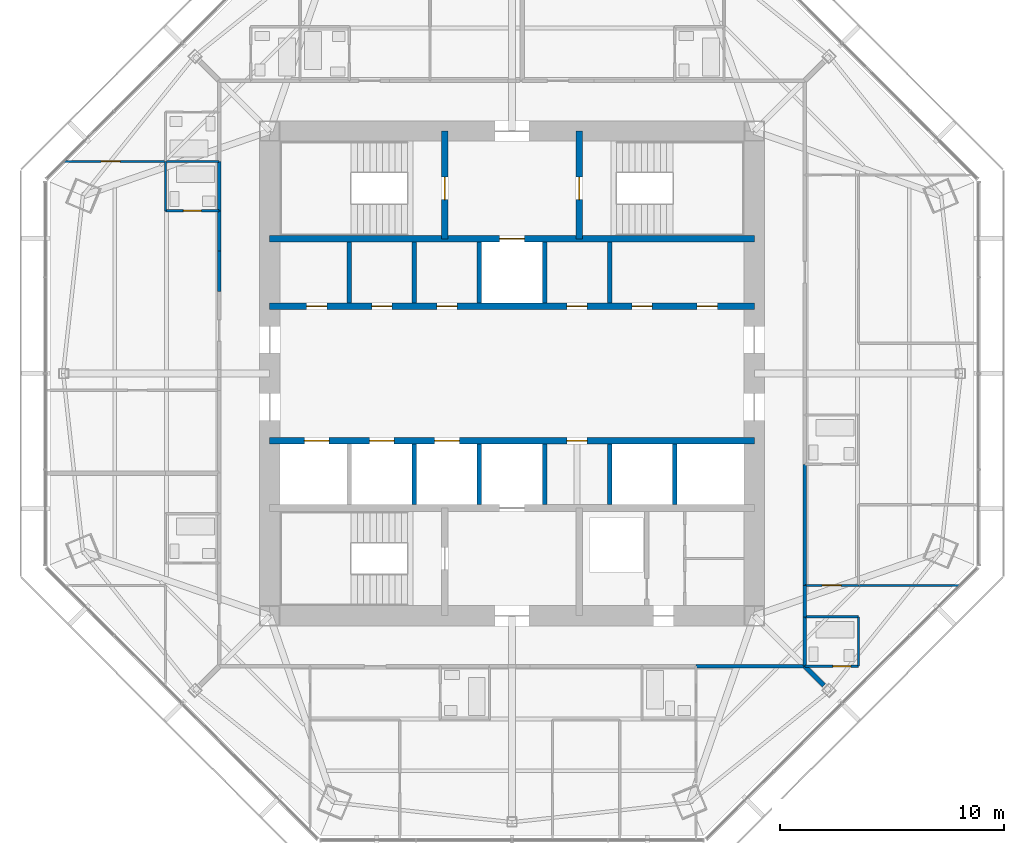
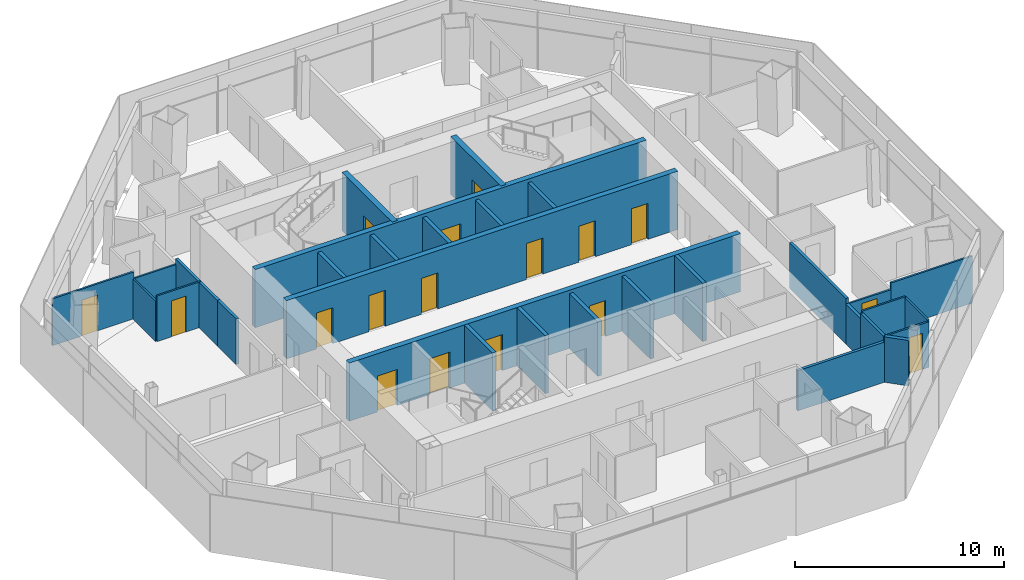
# One storey, part 10 of 14: 32 walls, 17 doors, 17 openings.
"""IFC4 building model written with IfcOpenShell, lengths in metres."""

from ifc_helpers import new_model, si_unit, direction, frame, frame_2d, origin, place, context, subcontext, project, spatial, rectangle, extrude, material, layer, layer_set, type_object, element, fill, save


model = new_model("IFC4")

# Units and contexts
model_context = context("Model", 3, precision=1e-05, world=origin(), true_north=direction((0.0, 1.0)))
body_context = subcontext(model_context, "Body", "Model", "MODEL_VIEW")
ifc_project = project(units=[si_unit("LENGTHUNIT", "METRE"), si_unit("AREAUNIT", "SQUARE_METRE"), si_unit("VOLUMEUNIT", "CUBIC_METRE"), si_unit("PLANEANGLEUNIT", "RADIAN"), si_unit("MASSUNIT", "GRAM", prefix="KILO")], contexts=[model_context])

# Site, building, storey
site_placement = place(None, origin())
site = spatial("IfcSite", under=ifc_project, at=site_placement, CompositionType="ELEMENT")
building_placement = place(site_placement, origin())
building = spatial("IfcBuilding", under=site, at=building_placement, Name="Mashrafa Tower", CompositionType="ELEMENT")
storey_placement = place(building_placement, frame((0.0, 0.0, 255.0)))
storey = spatial("IfcBuildingStorey", under=building, at=storey_placement, Name="L61", CompositionType="ELEMENT", Elevation=255.0)

# Wall
ifc_material_1 = material(Name="Gypsum board on steel studs", Category="steel")
ifc_layer_1 = layer(ifc_material_1, 0.199951171875)
ifc_layer_set_1 = layer_set([ifc_layer_1], Name="Acoustic partition 200 1 hr")
wall_type_1 = type_object("IfcWallType", Name="Acoustic partition 200 1 hr", PredefinedType="PARTITIONING", material=ifc_layer_set_1)
wall_1_placement = place(storey_placement, frame((13.050048828125, -13.050048828125, 0.0), z_axis=(0.0, 0.0, 1.0), x_axis=(0.707106781187, -0.707106781187, 0.0)))
element("IfcWall", 1, at=wall_1_placement, inside=storey, type_object=wall_type_1, Name="Acoustic wall L61-047", PredefinedType="PARTITIONING", context=body_context, shape_type="SweptSolid", body=[
    extrude(rectangle(XDim=1.205322265625, YDim=0.199951171875, at=frame_2d((0.6025390625, 0.0))), origin(), (0.0, 0.0, 1.0), 2.656494140625),
])

# Wall, openings, doors
ifc_material_2 = material(Name="Concrete C50/60", Category="concrete")
ifc_layer_2 = layer(ifc_material_2, 0.300048828125)
ifc_layer_set_2 = layer_set([ifc_layer_2], Name="Core wall 300 C50/60")
wall_type_2 = type_object("IfcWallType", Name="Core wall 300 C50/60", PredefinedType="SOLIDWALL", material=ifc_layer_set_2)
wall_2_placement = place(storey_placement, frame((-10.800048828125, 3.0, 0.0), z_axis=(0.0, 0.0, 1.0), x_axis=(1.0, 0.0, 0.0)))
wall_2 = element("IfcWall", 2, at=wall_2_placement, inside=storey, type_object=wall_type_2, Name="Core wall CH-N L61", PredefinedType="SOLIDWALL", context=body_context, shape_type="SweptSolid", body=[
    extrude(rectangle(XDim=21.60009765625, YDim=0.300048828125, at=frame_2d((10.800048828125, 0.0))), origin(), (0.0, 0.0, 1.0), 3.39990234375),
])
opening_1_placement = place(wall_2_placement, frame((1.64990234375, 0.0, 0.0)))
opening_1 = element("IfcOpeningElement", 3, at=opening_1_placement, cuts=wall_2, Name="Opening 61.044", PredefinedType="OPENING", context=body_context, shape_type="SweptSolid", body=[
    extrude(rectangle(XDim=0.89990234375, YDim=2.10009765625, at=frame_2d((0.449951171875, 1.050048828125))), frame((0.0, 0.159912109375, 0.0), z_axis=(0.0, -1.0, 0.0), x_axis=(1.0, 0.0, 0.0)), (0.0, 0.0, 1.0), 0.320068359375),
])
opening_2_placement = place(wall_2_placement, frame((7.449951171875, 0.0, 0.0)))
opening_2 = element("IfcOpeningElement", 4, at=opening_2_placement, cuts=wall_2, Name="Opening 61.045", PredefinedType="OPENING", context=body_context, shape_type="SweptSolid", body=[
    extrude(rectangle(XDim=0.89990234375, YDim=2.10009765625, at=frame_2d((0.449951171875, 1.050048828125))), frame((0.0, 0.159912109375, 0.0), z_axis=(0.0, -1.0, 0.0), x_axis=(1.0, 0.0, 0.0)), (0.0, 0.0, 1.0), 0.320068359375),
])
opening_3_placement = place(wall_2_placement, frame((13.25, 0.0, 0.0)))
opening_3 = element("IfcOpeningElement", 5, at=opening_3_placement, cuts=wall_2, Name="Opening 61.046", PredefinedType="OPENING", context=body_context, shape_type="SweptSolid", body=[
    extrude(rectangle(XDim=0.89990234375, YDim=2.10009765625, at=frame_2d((0.449951171875, 1.050048828125))), frame((0.0, 0.159912109375, 0.0), z_axis=(0.0, -1.0, 0.0), x_axis=(1.0, 0.0, 0.0)), (0.0, 0.0, 1.0), 0.320068359375),
])
opening_4_placement = place(wall_2_placement, frame((16.14990234375, 0.0, 0.0)))
opening_4 = element("IfcOpeningElement", 6, at=opening_4_placement, cuts=wall_2, Name="Opening 61.047", PredefinedType="OPENING", context=body_context, shape_type="SweptSolid", body=[
    extrude(rectangle(XDim=0.89990234375, YDim=2.10009765625, at=frame_2d((0.449951171875, 1.050048828125))), frame((0.0, 0.159912109375, 0.0), z_axis=(0.0, -1.0, 0.0), x_axis=(1.0, 0.0, 0.0)), (0.0, 0.0, 1.0), 0.320068359375),
])
opening_5_placement = place(wall_2_placement, frame((19.050048828125, 0.0, 0.0)))
opening_5 = element("IfcOpeningElement", 7, at=opening_5_placement, cuts=wall_2, Name="Opening 61.048", PredefinedType="OPENING", context=body_context, shape_type="SweptSolid", body=[
    extrude(rectangle(XDim=0.89990234375, YDim=2.10009765625, at=frame_2d((0.449951171875, 1.050048828125))), frame((0.0, 0.159912109375, 0.0), z_axis=(0.0, -1.0, 0.0), x_axis=(1.0, 0.0, 0.0)), (0.0, 0.0, 1.0), 0.320068359375),
])
opening_6_placement = place(wall_2_placement, frame((4.550048828125, 0.0, 0.0)))
opening_6 = element("IfcOpeningElement", 8, at=opening_6_placement, cuts=wall_2, Name="Opening 61.049", PredefinedType="OPENING", context=body_context, shape_type="SweptSolid", body=[
    extrude(rectangle(XDim=0.89990234375, YDim=2.10009765625, at=frame_2d((0.449951171875, 1.050048828125))), frame((0.0, 0.159912109375, 0.0), z_axis=(0.0, -1.0, 0.0), x_axis=(1.0, 0.0, 0.0)), (0.0, 0.0, 1.0), 0.320068359375),
])
ifc_material_3 = material(Name="Timber door", Category="wood")
door_type_1 = type_object("IfcDoorType", Name="Store door 900 x 2100", OperationType="USERDEFINED", PredefinedType="DOOR", material=ifc_material_3)
door_1_placement = place(opening_1_placement, origin())
door_1 = element("IfcDoor", 9, at=door_1_placement, inside=storey, type_object=door_type_1, Name="Refuse Chute Room L61 door", OperationType="SINGLE_SWING_RIGHT", OverallHeight=2.10009765625, OverallWidth=0.89990234375, PredefinedType="DOOR", context=body_context, shape_type="SweptSolid", body=[
    extrude(rectangle(XDim=0.89990234375, YDim=2.10009765625, at=frame_2d((0.449951171875, 1.050048828125))), frame((0.0, 0.02490234375, 0.0), z_axis=(0.0, -1.0, 0.0), x_axis=(1.0, 0.0, 0.0)), (0.0, 0.0, 1.0), 0.050048828125),
])
fill(opening_1, door_1)
door_2_placement = place(opening_2_placement, origin())
door_2 = element("IfcDoor", 10, at=door_2_placement, inside=storey, type_object=door_type_1, Name="Vending and Ice Room L61 door", OperationType="SINGLE_SWING_LEFT", OverallHeight=2.10009765625, OverallWidth=0.89990234375, PredefinedType="DOOR", context=body_context, shape_type="SweptSolid", body=[
    extrude(rectangle(XDim=0.89990234375, YDim=2.10009765625, at=frame_2d((0.449951171875, 1.050048828125))), frame((0.0, 0.02490234375, 0.0), z_axis=(0.0, -1.0, 0.0), x_axis=(1.0, 0.0, 0.0)), (0.0, 0.0, 1.0), 0.050048828125),
])
fill(opening_2, door_2)
door_3_placement = place(opening_3_placement, origin())
door_3 = element("IfcDoor", 11, at=door_3_placement, inside=storey, type_object=door_type_1, Name="Cleaner's Store L61 door", OperationType="SINGLE_SWING_LEFT", OverallHeight=2.10009765625, OverallWidth=0.89990234375, PredefinedType="DOOR", context=body_context, shape_type="SweptSolid", body=[
    extrude(rectangle(XDim=0.89990234375, YDim=2.10009765625, at=frame_2d((0.449951171875, 1.050048828125))), frame((0.0, 0.02490234375, 0.0), z_axis=(0.0, -1.0, 0.0), x_axis=(1.0, 0.0, 0.0)), (0.0, 0.0, 1.0), 0.050048828125),
])
fill(opening_3, door_3)
door_4_placement = place(opening_4_placement, origin())
door_4 = element("IfcDoor", 12, at=door_4_placement, inside=storey, type_object=door_type_1, Name="Parcel Room L61 door", OperationType="SINGLE_SWING_LEFT", OverallHeight=2.10009765625, OverallWidth=0.89990234375, PredefinedType="DOOR", context=body_context, shape_type="SweptSolid", body=[
    extrude(rectangle(XDim=0.89990234375, YDim=2.10009765625, at=frame_2d((0.449951171875, 1.050048828125))), frame((0.0, 0.02490234375, 0.0), z_axis=(0.0, -1.0, 0.0), x_axis=(1.0, 0.0, 0.0)), (0.0, 0.0, 1.0), 0.050048828125),
])
fill(opening_4, door_4)
door_5_placement = place(opening_5_placement, origin())
door_5 = element("IfcDoor", 13, at=door_5_placement, inside=storey, type_object=door_type_1, Name="Parcel Room L61 door", OperationType="SINGLE_SWING_RIGHT", OverallHeight=2.10009765625, OverallWidth=0.89990234375, PredefinedType="DOOR", context=body_context, shape_type="SweptSolid", body=[
    extrude(rectangle(XDim=0.89990234375, YDim=2.10009765625, at=frame_2d((0.449951171875, 1.050048828125))), frame((0.0, 0.02490234375, 0.0), z_axis=(0.0, -1.0, 0.0), x_axis=(1.0, 0.0, 0.0)), (0.0, 0.0, 1.0), 0.050048828125),
])
fill(opening_5, door_5)
door_6_placement = place(opening_6_placement, origin())
door_6 = element("IfcDoor", 14, at=door_6_placement, inside=storey, type_object=door_type_1, Name="Residents' Store L61-A2 door", OperationType="SINGLE_SWING_LEFT", OverallHeight=2.10009765625, OverallWidth=0.89990234375, PredefinedType="DOOR", context=body_context, shape_type="SweptSolid", body=[
    extrude(rectangle(XDim=0.89990234375, YDim=2.10009765625, at=frame_2d((0.449951171875, 1.050048828125))), frame((0.0, 0.02490234375, 0.0), z_axis=(0.0, -1.0, 0.0), x_axis=(1.0, 0.0, 0.0)), (0.0, 0.0, 1.0), 0.050048828125),
])
fill(opening_6, door_6)

# Wall, opening, door
wall_3_placement = place(storey_placement, frame((-10.800048828125, 6.0, 0.0), z_axis=(0.0, 0.0, 1.0), x_axis=(1.0, 0.0, 0.0)))
wall_3 = element("IfcWall", 15, at=wall_3_placement, inside=storey, type_object=wall_type_2, Name="Core wall CB-N L61", PredefinedType="SOLIDWALL", context=body_context, shape_type="SweptSolid", body=[
    extrude(rectangle(XDim=21.60009765625, YDim=0.300048828125, at=frame_2d((10.800048828125, 0.0))), origin(), (0.0, 0.0, 1.0), 3.39990234375),
])
opening_7_placement = place(wall_3_placement, frame((10.25, 0.0, 0.0)))
opening_7 = element("IfcOpeningElement", 16, at=opening_7_placement, cuts=wall_3, Name="Opening 61.F1", PredefinedType="OPENING", context=body_context, shape_type="SweptSolid", body=[
    extrude(rectangle(XDim=1.10009765625, YDim=2.10009765625, at=frame_2d((0.550048828125, 1.050048828125))), frame((0.0, 0.159912109375, 0.0), z_axis=(0.0, -1.0, 0.0), x_axis=(1.0, 0.0, 0.0)), (0.0, 0.0, 1.0), 0.320068359375),
])
ifc_material_4 = material(Name="Steel door", Category="steel")
door_type_2 = type_object("IfcDoorType", Name="Lift landing door 1100 x 2100 90 min", OperationType="DOUBLE_DOOR_SLIDING", PredefinedType="DOOR", material=ifc_material_4)
door_7_placement = place(opening_7_placement, origin())
door_7 = element("IfcDoor", 17, at=door_7_placement, inside=storey, type_object=door_type_2, Name="Lift landing door F1 L61", OperationType="DOUBLE_DOOR_SLIDING", OverallHeight=2.10009765625, OverallWidth=1.10009765625, PredefinedType="DOOR", context=body_context, shape_type="SweptSolid", body=[
    extrude(rectangle(XDim=1.10009765625, YDim=2.10009765625, at=frame_2d((0.550048828125, 1.050048828125))), frame((0.0, 0.02490234375, 0.0), z_axis=(0.0, -1.0, 0.0), x_axis=(1.0, 0.0, 0.0)), (0.0, 0.0, 1.0), 0.050048828125),
])
fill(opening_7, door_7)

wall_4_placement = place(storey_placement, frame((-3.0, 6.0, 0.0), z_axis=(0.0, 0.0, 1.0), x_axis=(0.0, 1.0, 0.0)))
wall_4 = element("IfcWall", 18, at=wall_4_placement, inside=storey, type_object=wall_type_2, Name="Core wall CX-NW L61", PredefinedType="SOLIDWALL", context=body_context, shape_type="SweptSolid", body=[
    extrude(rectangle(XDim=4.800048828125, YDim=0.300048828125, at=frame_2d((2.39990234375, 0.0))), origin(), (0.0, 0.0, 1.0), 3.39990234375),
])
opening_8_placement = place(wall_4_placement, frame((1.75, 0.0, 0.0)))
opening_8 = element("IfcOpeningElement", 19, at=opening_8_placement, cuts=wall_4, Name="Opening 61.037", PredefinedType="OPENING", context=body_context, shape_type="SweptSolid", body=[
    extrude(rectangle(XDim=1.0, YDim=2.10009765625, at=frame_2d((0.5, 1.050048828125))), frame((0.0, 0.159912109375, 0.0), z_axis=(0.0, -1.0, 0.0), x_axis=(1.0, 0.0, 0.0)), (0.0, 0.0, 1.0), 0.320068359375),
])
ifc_material_5 = material(Name="Steel door", Category="steel")
door_type_3 = type_object("IfcDoorType", Name="Stair door 1000 x 2100 90 min", OperationType="USERDEFINED", PredefinedType="DOOR", material=ifc_material_5)
door_8_placement = place(opening_8_placement, origin())
door_8 = element("IfcDoor", 20, at=door_8_placement, inside=storey, type_object=door_type_3, Name="Stair S1 door L61", OperationType="SINGLE_SWING_LEFT", OverallHeight=2.10009765625, OverallWidth=1.0, PredefinedType="DOOR", context=body_context, shape_type="SweptSolid", body=[
    extrude(rectangle(XDim=1.0, YDim=2.10009765625, at=frame_2d((0.5, 1.050048828125))), frame((0.0, 0.02490234375, 0.0), z_axis=(0.0, -1.0, 0.0), x_axis=(1.0, 0.0, 0.0)), (0.0, 0.0, 1.0), 0.050048828125),
])
fill(opening_8, door_8)

wall_5_placement = place(storey_placement, frame((3.0, 6.0, 0.0), z_axis=(0.0, 0.0, 1.0), x_axis=(0.0, 1.0, 0.0)))
wall_5 = element("IfcWall", 21, at=wall_5_placement, inside=storey, type_object=wall_type_2, Name="Core wall CX-NE L61", PredefinedType="SOLIDWALL", context=body_context, shape_type="SweptSolid", body=[
    extrude(rectangle(XDim=4.800048828125, YDim=0.300048828125, at=frame_2d((2.39990234375, 0.0))), origin(), (0.0, 0.0, 1.0), 3.39990234375),
])
opening_9_placement = place(wall_5_placement, frame((1.75, 0.0, 0.0)))
opening_9 = element("IfcOpeningElement", 22, at=opening_9_placement, cuts=wall_5, Name="Opening 61.038", PredefinedType="OPENING", context=body_context, shape_type="SweptSolid", body=[
    extrude(rectangle(XDim=1.0, YDim=2.10009765625, at=frame_2d((0.5, 1.050048828125))), frame((0.0, 0.159912109375, 0.0), z_axis=(0.0, -1.0, 0.0), x_axis=(1.0, 0.0, 0.0)), (0.0, 0.0, 1.0), 0.320068359375),
])
door_9_placement = place(opening_9_placement, frame((1.0, 0.0, 0.0), z_axis=(0.0, 0.0, 1.0), x_axis=(-1.0, 0.0, 0.0)))
door_9 = element("IfcDoor", 23, at=door_9_placement, inside=storey, type_object=door_type_3, Name="Stair S2 door L61", OperationType="SINGLE_SWING_RIGHT", OverallHeight=2.10009765625, OverallWidth=1.0, PredefinedType="DOOR", context=body_context, shape_type="SweptSolid", body=[
    extrude(rectangle(XDim=1.0, YDim=2.10009765625, at=frame_2d((0.5, 1.050048828125))), frame((0.0, 0.02490234375, 0.0), z_axis=(0.0, -1.0, 0.0), x_axis=(1.0, 0.0, 0.0)), (0.0, 0.0, 1.0), 0.050048828125),
])
fill(opening_9, door_9)

# Wall, openings, doors
wall_6_placement = place(storey_placement, frame((-10.800048828125, -3.0, 0.0), z_axis=(0.0, 0.0, 1.0), x_axis=(1.0, 0.0, 0.0)))
wall_6 = element("IfcWall", 24, at=wall_6_placement, inside=storey, type_object=wall_type_2, Name="Core wall CH-S L61", PredefinedType="SOLIDWALL", context=body_context, shape_type="SweptSolid", body=[
    extrude(rectangle(XDim=21.60009765625, YDim=0.300048828125, at=frame_2d((10.800048828125, 0.0))), origin(), (0.0, 0.0, 1.0), 3.39990234375),
])
opening_10_placement = place(wall_6_placement, frame((13.25, 0.0, 0.0)))
opening_10 = element("IfcOpeningElement", 25, at=opening_10_placement, cuts=wall_6, Name="Opening 61.050", PredefinedType="OPENING", context=body_context, shape_type="SweptSolid", body=[
    extrude(rectangle(XDim=0.89990234375, YDim=2.10009765625, at=frame_2d((0.449951171875, 1.050048828125))), frame((0.0, 0.159912109375, 0.0), z_axis=(0.0, -1.0, 0.0), x_axis=(1.0, 0.0, 0.0)), (0.0, 0.0, 1.0), 0.320068359375),
])
opening_11_placement = place(wall_6_placement, frame((1.550048828125, 0.0, 0.0)))
opening_11 = element("IfcOpeningElement", 26, at=opening_11_placement, cuts=wall_6, Name="Opening 61.AL1", PredefinedType="OPENING", context=body_context, shape_type="SweptSolid", body=[
    extrude(rectangle(XDim=1.10009765625, YDim=2.10009765625, at=frame_2d((0.550048828125, 1.050048828125))), frame((0.0, 0.159912109375, 0.0), z_axis=(0.0, -1.0, 0.0), x_axis=(1.0, 0.0, 0.0)), (0.0, 0.0, 1.0), 0.320068359375),
])
opening_12_placement = place(wall_6_placement, frame((4.449951171875, 0.0, 0.0)))
opening_12 = element("IfcOpeningElement", 27, at=opening_12_placement, cuts=wall_6, Name="Opening 61.AL2", PredefinedType="OPENING", context=body_context, shape_type="SweptSolid", body=[
    extrude(rectangle(XDim=1.10009765625, YDim=2.10009765625, at=frame_2d((0.550048828125, 1.050048828125))), frame((0.0, 0.159912109375, 0.0), z_axis=(0.0, -1.0, 0.0), x_axis=(1.0, 0.0, 0.0)), (0.0, 0.0, 1.0), 0.320068359375),
])
opening_13_placement = place(wall_6_placement, frame((7.35009765625, 0.0, 0.0)))
opening_13 = element("IfcOpeningElement", 28, at=opening_13_placement, cuts=wall_6, Name="Opening 61.AL3", PredefinedType="OPENING", context=body_context, shape_type="SweptSolid", body=[
    extrude(rectangle(XDim=1.10009765625, YDim=2.10009765625, at=frame_2d((0.550048828125, 1.050048828125))), frame((0.0, 0.159912109375, 0.0), z_axis=(0.0, -1.0, 0.0), x_axis=(1.0, 0.0, 0.0)), (0.0, 0.0, 1.0), 0.320068359375),
])
door_10_placement = place(opening_11_placement, origin())
door_10 = element("IfcDoor", 29, at=door_10_placement, inside=storey, type_object=door_type_2, Name="Lift landing door AL1 L61", OperationType="DOUBLE_DOOR_SLIDING", OverallHeight=2.10009765625, OverallWidth=1.10009765625, PredefinedType="DOOR", context=body_context, shape_type="SweptSolid", body=[
    extrude(rectangle(XDim=1.10009765625, YDim=2.10009765625, at=frame_2d((0.550048828125, 1.050048828125))), frame((0.0, 0.02490234375, 0.0), z_axis=(0.0, -1.0, 0.0), x_axis=(1.0, 0.0, 0.0)), (0.0, 0.0, 1.0), 0.050048828125),
])
fill(opening_11, door_10)
door_11_placement = place(opening_12_placement, origin())
door_11 = element("IfcDoor", 30, at=door_11_placement, inside=storey, type_object=door_type_2, Name="Lift landing door AL2 L61", OperationType="DOUBLE_DOOR_SLIDING", OverallHeight=2.10009765625, OverallWidth=1.10009765625, PredefinedType="DOOR", context=body_context, shape_type="SweptSolid", body=[
    extrude(rectangle(XDim=1.10009765625, YDim=2.10009765625, at=frame_2d((0.550048828125, 1.050048828125))), frame((0.0, 0.02490234375, 0.0), z_axis=(0.0, -1.0, 0.0), x_axis=(1.0, 0.0, 0.0)), (0.0, 0.0, 1.0), 0.050048828125),
])
fill(opening_12, door_11)
door_12_placement = place(opening_13_placement, origin())
door_12 = element("IfcDoor", 31, at=door_12_placement, inside=storey, type_object=door_type_2, Name="Lift landing door AL3 L61", OperationType="DOUBLE_DOOR_SLIDING", OverallHeight=2.10009765625, OverallWidth=1.10009765625, PredefinedType="DOOR", context=body_context, shape_type="SweptSolid", body=[
    extrude(rectangle(XDim=1.10009765625, YDim=2.10009765625, at=frame_2d((0.550048828125, 1.050048828125))), frame((0.0, 0.02490234375, 0.0), z_axis=(0.0, -1.0, 0.0), x_axis=(1.0, 0.0, 0.0)), (0.0, 0.0, 1.0), 0.050048828125),
])
fill(opening_13, door_12)
door_13_placement = place(opening_10_placement, frame((0.89990234375, 0.0, 0.0), z_axis=(0.0, 0.0, 1.0), x_axis=(-1.0, 0.0, 0.0)))
door_13 = element("IfcDoor", 32, at=door_13_placement, inside=storey, type_object=door_type_1, Name="Residents' Store L61-B4 door", OperationType="SINGLE_SWING_RIGHT", OverallHeight=2.10009765625, OverallWidth=0.89990234375, PredefinedType="DOOR", context=body_context, shape_type="SweptSolid", body=[
    extrude(rectangle(XDim=0.89990234375, YDim=2.10009765625, at=frame_2d((0.449951171875, 1.050048828125))), frame((0.0, 0.02490234375, 0.0), z_axis=(0.0, -1.0, 0.0), x_axis=(1.0, 0.0, 0.0)), (0.0, 0.0, 1.0), 0.050048828125),
])
fill(opening_10, door_13)

# Walls
ifc_material_6 = material(Name="Gypsum board on steel studs", Category="steel")
ifc_layer_3 = layer(ifc_material_6, 0.14990234375)
ifc_layer_set_3 = layer_set([ifc_layer_3], Name="Corridor partition 150 1 hr")
wall_type_3 = type_object("IfcWallType", Name="Corridor partition 150 1 hr", PredefinedType="PARTITIONING", material=ifc_layer_set_3)
wall_7_placement = place(storey_placement, frame((13.050048828125, -13.050048828125, 0.0), z_axis=(0.0, 0.0, 1.0), x_axis=(0.0, 1.0, 0.0)))
element("IfcWall", 33, at=wall_7_placement, inside=storey, type_object=wall_type_3, Name="Corridor wall L61-001", PredefinedType="PARTITIONING", context=body_context, shape_type="SweptSolid", body=[
    extrude(rectangle(XDim=2.200927734375, YDim=0.14990234375, at=frame_2d((1.1005859375, 0.0))), origin(), (0.0, 0.0, 1.0), 2.656494140625),
])
wall_8_placement = place(storey_placement, frame((13.050048828125, -10.85107421875, 0.0), z_axis=(0.0, 0.0, 1.0), x_axis=(0.0, 1.0, 0.0)))
element("IfcWall", 34, at=wall_8_placement, inside=storey, type_object=wall_type_3, Name="Corridor wall L61-002", PredefinedType="PARTITIONING", context=body_context, shape_type="SweptSolid", body=[
    extrude(rectangle(XDim=1.402099609375, YDim=0.14990234375, at=frame_2d((0.701171875, 0.0))), origin(), (0.0, 0.0, 1.0), 2.349365234375),
])
wall_9_placement = place(storey_placement, frame((13.050048828125, -9.450927734375, 0.0), z_axis=(0.0, 0.0, 1.0), x_axis=(0.0, 1.0, 0.0)))
element("IfcWall", 35, at=wall_9_placement, inside=storey, type_object=wall_type_3, Name="Corridor wall L61-006", PredefinedType="PARTITIONING", context=body_context, shape_type="SweptSolid", body=[
    extrude(rectangle(XDim=5.40185546875, YDim=0.14990234375, at=frame_2d((2.700927734375, 0.0))), origin(), (0.0, 0.0, 1.0), 2.66162109375),
])
wall_10_placement = place(storey_placement, frame((-13.050048828125, 9.450927734375, 0.0), z_axis=(0.0, 0.0, 1.0), x_axis=(0.0, -1.0, 0.0)))
element("IfcWall", 36, at=wall_10_placement, inside=storey, type_object=wall_type_3, Name="Corridor wall L61-023", PredefinedType="PARTITIONING", context=body_context, shape_type="SweptSolid", body=[
    extrude(rectangle(XDim=2.201904296875, YDim=0.14990234375, at=frame_2d((1.10107421875, 0.0))), origin(), (0.0, 0.0, 1.0), 2.66162109375),
])
for number, where, z_axis, x_axis, name in (
    (37, (-13.050048828125, 5.450927734375, 0.0), (0.0, 0.0, 1.0), (0.0, -1.0, 0.0), "Corridor wall L61-024"),
    (38, (-13.050048828125, 7.2509765625, 0.0), (0.0, 0.0, 1.0), (0.0, -1.0, 0.0), "Corridor wall L61-029"),
):
    element("IfcWall", number, at=place(storey_placement, frame(where, z_axis=z_axis, x_axis=x_axis)), inside=storey, type_object=wall_type_3, Name=name, PredefinedType="PARTITIONING", context=body_context, shape_type="SweptSolid", body=[
        extrude(rectangle(XDim=1.802001953125, YDim=0.14990234375, at=frame_2d((0.90087890625, 0.0))), origin(), (0.0, 0.0, 1.0), 2.66162109375),
    ])
wall_11_placement = place(storey_placement, frame((8.198974609375, -13.050048828125, 0.0), z_axis=(0.0, 0.0, 1.0), x_axis=(1.0, 0.0, 0.0)))
element("IfcWall", 39, at=wall_11_placement, inside=storey, type_object=wall_type_3, Name="Corridor wall L61-039", PredefinedType="PARTITIONING", context=body_context, shape_type="SweptSolid", body=[
    extrude(rectangle(XDim=4.85107421875, YDim=0.14990234375, at=frame_2d((2.425537109375, 0.0))), origin(), (0.0, 0.0, 1.0), 2.349365234375),
])

# Wall, opening, door
ifc_material_7 = material(Name="Gypsum board on steel studs", Category="steel")
ifc_layer_4 = layer(ifc_material_7, 0.10009765625)
ifc_layer_set_4 = layer_set([ifc_layer_4], Name="Partition 100")
wall_type_4 = type_object("IfcWallType", Name="Partition 100", PredefinedType="PARTITIONING", material=ifc_layer_set_4)
wall_12_placement = place(storey_placement, frame((13.050048828125, -13.050048828125, 0.0), z_axis=(0.0, 0.0, 1.0), x_axis=(1.0, 0.0, 0.0)))
wall_12 = element("IfcWall", 40, at=wall_12_placement, inside=storey, type_object=wall_type_4, Name="Partition wall L61-042", PredefinedType="PARTITIONING", context=body_context, shape_type="SweptSolid", body=[
    extrude(rectangle(XDim=2.39990234375, YDim=0.10009765625, at=frame_2d((1.199951171875, 0.0))), origin(), (0.0, 0.0, 1.0), 2.656494140625),
])
opening_14_placement = place(wall_12_placement, frame((1.25, 0.0, 0.0)))
opening_14 = element("IfcOpeningElement", 41, at=opening_14_placement, cuts=wall_12, Name="Opening 61.001", PredefinedType="OPENING", context=body_context, shape_type="SweptSolid", body=[
    extrude(rectangle(XDim=0.800048828125, YDim=2.10009765625, at=frame_2d((0.39990234375, 1.050048828125))), frame((0.0, 0.06005859375, 0.0), z_axis=(0.0, -1.0, 0.0), x_axis=(1.0, 0.0, 0.0)), (0.0, 0.0, 1.0), 0.1201171875),
])
ifc_material_8 = material(Name="Timber door", Category="wood")
door_type_4 = type_object("IfcDoorType", Name="Bathroom door 800 x 2100", OperationType="USERDEFINED", PredefinedType="DOOR", material=ifc_material_8)
door_14_placement = place(opening_14_placement, origin())
door_14 = element("IfcDoor", 42, at=door_14_placement, inside=storey, type_object=door_type_4, Name="Apartment 6101 En-suite Bathroom door", OperationType="SINGLE_SWING_RIGHT", OverallHeight=2.10009765625, OverallWidth=0.800048828125, PredefinedType="DOOR", context=body_context, shape_type="SweptSolid", body=[
    extrude(rectangle(XDim=0.800048828125, YDim=2.10009765625, at=frame_2d((0.39990234375, 1.050048828125))), frame((0.0, 0.02490234375, 0.0), z_axis=(0.0, -1.0, 0.0), x_axis=(1.0, 0.0, 0.0)), (0.0, 0.0, 1.0), 0.050048828125),
])
fill(opening_14, door_14)

# Walls
wall_13_placement = place(storey_placement, frame((15.449951171875, -13.050048828125, 0.0), z_axis=(0.0, 0.0, 1.0), x_axis=(0.0, 1.0, 0.0)))
element("IfcWall", 43, at=wall_13_placement, inside=storey, type_object=wall_type_4, Name="Partition wall L61-043", PredefinedType="PARTITIONING", context=body_context, shape_type="SweptSolid", body=[
    extrude(rectangle(XDim=2.199951171875, YDim=0.10009765625, at=frame_2d((1.10009765625, 0.0))), origin(), (0.0, 0.0, 1.0), 2.740478515625),
])
wall_14_placement = place(storey_placement, frame((15.449951171875, -10.85009765625, 0.0), z_axis=(0.0, 0.0, 1.0), x_axis=(-1.0, 0.0, 0.0)))
element("IfcWall", 44, at=wall_14_placement, inside=storey, type_object=wall_type_4, Name="Partition wall L61-044", PredefinedType="PARTITIONING", context=body_context, shape_type="SweptSolid", body=[
    extrude(rectangle(XDim=2.39990234375, YDim=0.10009765625, at=frame_2d((1.199951171875, 0.0))), origin(), (0.0, 0.0, 1.0), 2.7861328125),
])
wall_15_placement = place(storey_placement, frame((19.943359375, -9.449951171875, 0.0), z_axis=(0.0, 0.0, 1.0), x_axis=(-1.0, 0.0, 0.0)))
element("IfcWall", 45, at=wall_15_placement, inside=storey, type_object=wall_type_4, Name="Partition wall L61-045", PredefinedType="PARTITIONING", context=body_context, shape_type="SweptSolid", body=[
    extrude(rectangle(XDim=4.494384765625, YDim=0.10009765625, at=frame_2d((2.2470703125, 0.0))), origin(), (0.0, 0.0, 1.0), 2.740478515625),
])

# Wall, opening, door
wall_16_placement = place(storey_placement, frame((15.450927734375, -9.449951171875, 0.0), z_axis=(0.0, 0.0, 1.0), x_axis=(-1.0, 0.0, 0.0)))
wall_16 = element("IfcWall", 46, at=wall_16_placement, inside=storey, type_object=wall_type_4, Name="Partition wall L61-046", PredefinedType="PARTITIONING", context=body_context, shape_type="SweptSolid", body=[
    extrude(rectangle(XDim=2.40087890625, YDim=0.10009765625, at=frame_2d((1.200439453125, 0.0))), origin(), (0.0, 0.0, 1.0), 2.349365234375),
])
opening_15_placement = place(wall_16_placement, frame((0.775390625, 0.0, 0.0)))
opening_15 = element("IfcOpeningElement", 47, at=opening_15_placement, cuts=wall_16, Name="Opening 61.002", PredefinedType="OPENING", context=body_context, shape_type="SweptSolid", body=[
    extrude(rectangle(XDim=0.85009765625, YDim=2.10009765625, at=frame_2d((0.425048828125, 1.050048828125))), frame((0.0, 0.06005859375, 0.0), z_axis=(0.0, -1.0, 0.0), x_axis=(1.0, 0.0, 0.0)), (0.0, 0.0, 1.0), 0.1201171875),
])
ifc_material_9 = material(Name="Timber door", Category="wood")
door_type_5 = type_object("IfcDoorType", Name="Bedroom door 850 x 2100", OperationType="USERDEFINED", PredefinedType="DOOR", material=ifc_material_9)
door_15_placement = place(opening_15_placement, origin())
door_15 = element("IfcDoor", 48, at=door_15_placement, inside=storey, type_object=door_type_5, Name="Apartment 6101 Bedroom 1 door", OperationType="SINGLE_SWING_RIGHT", OverallHeight=2.10009765625, OverallWidth=0.85009765625, PredefinedType="DOOR", context=body_context, shape_type="SweptSolid", body=[
    extrude(rectangle(XDim=0.85009765625, YDim=2.10009765625, at=frame_2d((0.425048828125, 1.050048828125))), frame((0.0, 0.02490234375, 0.0), z_axis=(0.0, -1.0, 0.0), x_axis=(1.0, 0.0, 0.0)), (0.0, 0.0, 1.0), 0.050048828125),
])
fill(opening_15, door_15)

# Wall
wall_17_placement = place(storey_placement, frame((-15.449951171875, 9.449951171875, 0.0), z_axis=(0.0, 0.0, 1.0), x_axis=(1.0, 0.0, 0.0)))
element("IfcWall", 49, at=wall_17_placement, inside=storey, type_object=wall_type_4, Name="Partition wall L61-074", PredefinedType="PARTITIONING", context=body_context, shape_type="SweptSolid", body=[
    extrude(rectangle(XDim=2.39990234375, YDim=0.10009765625, at=frame_2d((1.199951171875, 0.0))), origin(), (0.0, 0.0, 1.0), 2.349365234375),
])

# Wall, opening, door
wall_18_placement = place(storey_placement, frame((-19.9453125, 9.449951171875, 0.0), z_axis=(0.0, 0.0, 1.0), x_axis=(1.0, 0.0, 0.0)))
wall_18 = element("IfcWall", 50, at=wall_18_placement, inside=storey, type_object=wall_type_4, Name="Partition wall L61-075", PredefinedType="PARTITIONING", context=body_context, shape_type="SweptSolid", body=[
    extrude(rectangle(XDim=4.495361328125, YDim=0.10009765625, at=frame_2d((2.24755859375, 0.0))), origin(), (0.0, 0.0, 1.0), 2.740478515625),
])
opening_16_placement = place(wall_18_placement, frame((1.625732421875, 0.0, 0.0)))
opening_16 = element("IfcOpeningElement", 51, at=opening_16_placement, cuts=wall_18, Name="Opening 61.017", PredefinedType="OPENING", context=body_context, shape_type="SweptSolid", body=[
    extrude(rectangle(XDim=0.85009765625, YDim=2.10009765625, at=frame_2d((0.425048828125, 1.050048828125))), frame((0.0, 0.06005859375, 0.0), z_axis=(0.0, -1.0, 0.0), x_axis=(1.0, 0.0, 0.0)), (0.0, 0.0, 1.0), 0.1201171875),
])
door_16_placement = place(opening_16_placement, origin())
door_16 = element("IfcDoor", 52, at=door_16_placement, inside=storey, type_object=door_type_5, Name="Apartment 6104 Bedroom 1 door", OperationType="SINGLE_SWING_LEFT", OverallHeight=2.10009765625, OverallWidth=0.85009765625, PredefinedType="DOOR", context=body_context, shape_type="SweptSolid", body=[
    extrude(rectangle(XDim=0.85009765625, YDim=2.10009765625, at=frame_2d((0.425048828125, 1.050048828125))), frame((0.0, 0.02490234375, 0.0), z_axis=(0.0, -1.0, 0.0), x_axis=(1.0, 0.0, 0.0)), (0.0, 0.0, 1.0), 0.050048828125),
])
fill(opening_16, door_16)

# Wall
wall_19_placement = place(storey_placement, frame((-15.449951171875, 9.449951171875, 0.0), z_axis=(0.0, 0.0, 1.0), x_axis=(0.0, -1.0, 0.0)))
element("IfcWall", 53, at=wall_19_placement, inside=storey, type_object=wall_type_4, Name="Partition wall L61-076", PredefinedType="PARTITIONING", context=body_context, shape_type="SweptSolid", body=[
    extrude(rectangle(XDim=2.199951171875, YDim=0.10009765625, at=frame_2d((1.10009765625, 0.0))), origin(), (0.0, 0.0, 1.0), 2.349365234375),
])

# Wall, opening, door
wall_20_placement = place(storey_placement, frame((-15.449951171875, 7.25, 0.0), z_axis=(0.0, 0.0, 1.0), x_axis=(1.0, 0.0, 0.0)))
wall_20 = element("IfcWall", 54, at=wall_20_placement, inside=storey, type_object=wall_type_4, Name="Partition wall L61-077", PredefinedType="PARTITIONING", context=body_context, shape_type="SweptSolid", body=[
    extrude(rectangle(XDim=2.39990234375, YDim=0.10009765625, at=frame_2d((1.199951171875, 0.0))), origin(), (0.0, 0.0, 1.0), 2.66162109375),
])
opening_17_placement = place(wall_20_placement, frame((0.800048828125, 0.0, 0.0)))
opening_17 = element("IfcOpeningElement", 55, at=opening_17_placement, cuts=wall_20, Name="Opening 61.018", PredefinedType="OPENING", context=body_context, shape_type="SweptSolid", body=[
    extrude(rectangle(XDim=0.800048828125, YDim=2.10009765625, at=frame_2d((0.39990234375, 1.050048828125))), frame((0.0, 0.06005859375, 0.0), z_axis=(0.0, -1.0, 0.0), x_axis=(1.0, 0.0, 0.0)), (0.0, 0.0, 1.0), 0.1201171875),
])
door_17_placement = place(opening_17_placement, origin())
door_17 = element("IfcDoor", 56, at=door_17_placement, inside=storey, type_object=door_type_4, Name="Apartment 6104 Bathroom door", OperationType="SINGLE_SWING_RIGHT", OverallHeight=2.10009765625, OverallWidth=0.800048828125, PredefinedType="DOOR", context=body_context, shape_type="SweptSolid", body=[
    extrude(rectangle(XDim=0.800048828125, YDim=2.10009765625, at=frame_2d((0.39990234375, 1.050048828125))), frame((0.0, 0.02490234375, 0.0), z_axis=(0.0, -1.0, 0.0), x_axis=(1.0, 0.0, 0.0)), (0.0, 0.0, 1.0), 0.050048828125),
])
fill(opening_17, door_17)

# Walls
ifc_material_10 = material(Name="Gypsum shaft wall on steel studs", Category="steel")
ifc_layer_5 = layer(ifc_material_10, 0.199951171875)
ifc_layer_set_5 = layer_set([ifc_layer_5], Name="Shaft divider wall 200 2 hr")
wall_type_5 = type_object("IfcWallType", Name="Shaft divider wall 200 2 hr", PredefinedType="PARTITIONING", material=ifc_layer_set_5)
for number, where, z_axis, x_axis, name in (
    (57, (-7.25, 3.14990234375, 0.0), (0.0, 0.0, 1.0), (0.0, 1.0, 0.0), "Shaft divider wall N1 L61"),
    (58, (-4.35009765625, 3.14990234375, 0.0), (0.0, 0.0, 1.0), (0.0, 1.0, 0.0), "Shaft divider wall N2 L61"),
    (59, (-1.449951171875, 3.14990234375, 0.0), (0.0, 0.0, 1.0), (0.0, 1.0, 0.0), "Shaft divider wall N3 L61"),
    (60, (1.449951171875, 3.14990234375, 0.0), (0.0, 0.0, 1.0), (0.0, 1.0, 0.0), "Shaft divider wall N4 L61"),
    (61, (4.35009765625, 3.14990234375, 0.0), (0.0, 0.0, 1.0), (0.0, 1.0, 0.0), "Shaft divider wall N5 L61"),
):
    element("IfcWall", number, at=place(storey_placement, frame(where, z_axis=z_axis, x_axis=x_axis)), inside=storey, type_object=wall_type_5, Name=name, PredefinedType="PARTITIONING", context=body_context, shape_type="SweptSolid", body=[
        extrude(rectangle(XDim=2.7001953125, YDim=0.199951171875, at=frame_2d((1.35009765625, 0.0))), origin(), (0.0, 0.0, 1.0), 3.199951171875),
    ])
for number, where, z_axis, x_axis, name in (
    (62, (-4.35009765625, -5.85009765625, 0.0), (0.0, 0.0, 1.0), (0.0, 1.0, 0.0), "Shaft divider wall S2 L61"),
    (63, (-1.449951171875, -5.85009765625, 0.0), (0.0, 0.0, 1.0), (0.0, 1.0, 0.0), "Shaft divider wall S3 L61"),
):
    element("IfcWall", number, at=place(storey_placement, frame(where, z_axis=z_axis, x_axis=x_axis)), inside=storey, type_object=wall_type_5, Name=name, PredefinedType="PARTITIONING", context=body_context, shape_type="SweptSolid", body=[
        extrude(rectangle(XDim=2.7001953125, YDim=0.199951171875, at=frame_2d((1.35009765625, 0.0))), origin(), (0.0, 0.0, 1.0), 3.39990234375),
    ])
for number, where, z_axis, x_axis, name in (
    (64, (1.449951171875, -5.85009765625, 0.0), (0.0, 0.0, 1.0), (0.0, 1.0, 0.0), "Shaft divider wall S4 L61"),
    (65, (4.35009765625, -5.85009765625, 0.0), (0.0, 0.0, 1.0), (0.0, 1.0, 0.0), "Shaft divider wall S5 L61"),
):
    element("IfcWall", number, at=place(storey_placement, frame(where, z_axis=z_axis, x_axis=x_axis)), inside=storey, type_object=wall_type_5, Name=name, PredefinedType="PARTITIONING", context=body_context, shape_type="SweptSolid", body=[
        extrude(rectangle(XDim=2.7001953125, YDim=0.199951171875, at=frame_2d((1.35009765625, 0.0))), origin(), (0.0, 0.0, 1.0), 3.199951171875),
    ])
wall_21_placement = place(storey_placement, frame((7.25, -5.85009765625, 0.0), z_axis=(0.0, 0.0, 1.0), x_axis=(0.0, 1.0, 0.0)))
element("IfcWall", 66, at=wall_21_placement, inside=storey, type_object=wall_type_5, Name="Shaft divider wall S6 L61", PredefinedType="PARTITIONING", context=body_context, shape_type="SweptSolid", body=[
    extrude(rectangle(XDim=2.7001953125, YDim=0.199951171875, at=frame_2d((1.35009765625, 0.0))), origin(), (0.0, 0.0, 1.0), 3.39990234375),
])

save(model, "model.ifc")
